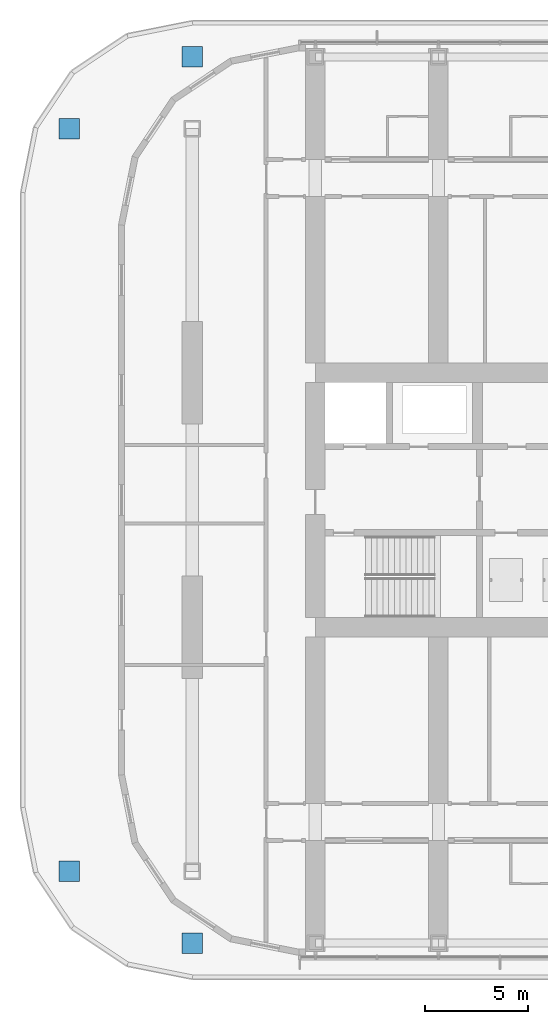
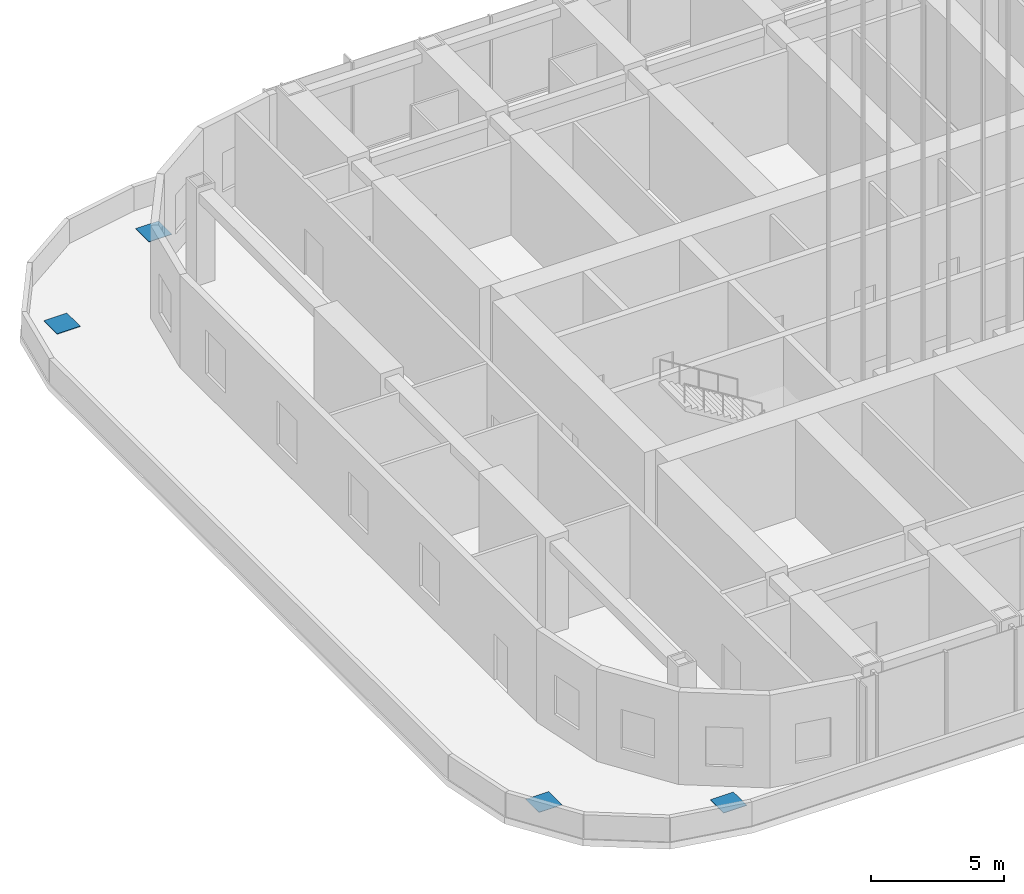
# One storey, part 18 of 32: 4 discrete accessories.
"""IFC4 building model written with IfcOpenShell, lengths in metres."""

from ifc_helpers import new_model, si_unit, direction, frame, origin, origin_2d, place, context, subcontext, project, spatial, rectangle, extrude, material, layer, layer_set, type_object, element, save


model = new_model("IFC4")

# Units and contexts
model_context = context("Model", 3, precision=1e-05, world=origin(), true_north=direction((0.0, 1.0)))
body_context = subcontext(model_context, "Body", "Model", "MODEL_VIEW")
ifc_project = project(units=[si_unit("LENGTHUNIT", "METRE"), si_unit("AREAUNIT", "SQUARE_METRE"), si_unit("VOLUMEUNIT", "CUBIC_METRE"), si_unit("PLANEANGLEUNIT", "RADIAN"), si_unit("MASSUNIT", "GRAM", prefix="KILO")], contexts=[model_context])

# Site, building, storey
site_placement = place(None, origin())
site = spatial("IfcSite", under=ifc_project, at=site_placement, CompositionType="ELEMENT")
building_placement = place(site_placement, origin())
building = spatial("IfcBuilding", under=site, at=building_placement, Name="Orbita Commons", CompositionType="ELEMENT")
storey_placement = place(building_placement, frame((0.0, 0.0, 140.35009765625)))
storey = spatial("IfcBuildingStorey", under=building, at=storey_placement, Name="L34", CompositionType="ELEMENT", Elevation=140.35009765625)

# Discrete accessories
ifc_material = material(Name="Steel ASTM A572 Gr 50 welded plate", Category="steel")
ifc_layer = layer(ifc_material, 0.02001953125)
ifc_layer_set = layer_set([ifc_layer], Name="Steel ASTM A572 Gr 50 welded plate")
discrete_accessory_type = type_object("IfcDiscreteAccessoryType", Name="Column end plate BOX 1000x1000x100", PredefinedType="NOTDEFINED", material=ifc_layer_set)
for number, where, z_axis, x_axis, name in (
    (1, (6.0, 13.89990234375, 0.0), (0.0, 0.0, 1.0), (1.0, 0.0, 0.0), "Column end plate 2/13.9 L33"),
    (2, (6.0, 50.10009765625, 0.0), (0.0, 0.0, 1.0), (1.0, 0.0, 0.0), "Column end plate 2/50.1 L33"),
    (3, (12.0, 10.39990234375, 0.0), (0.0, 0.0, 1.0), (1.0, 0.0, 0.0), "Column end plate 3/B L33"),
    (4, (12.0, 53.60009765625, 0.0), (0.0, 0.0, 1.0), (1.0, 0.0, 0.0), "Column end plate 3/E L33"),
):
    element("IfcDiscreteAccessory", number, at=place(storey_placement, frame(where, z_axis=z_axis, x_axis=x_axis)), inside=storey, type_object=discrete_accessory_type, Name=name, PredefinedType="NOTDEFINED", context=body_context, shape_type="SweptSolid", body=[
        extrude(rectangle(XDim=1.0, YDim=1.0, at=origin_2d()), origin(), (0.0, 0.0, 1.0), 0.02001953125),
    ])

save(model, "model.ifc")
